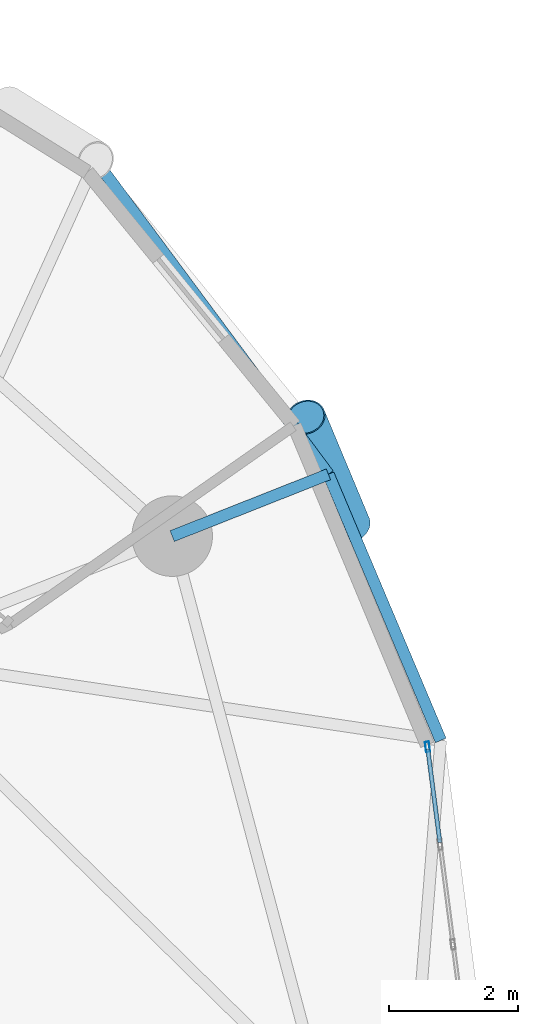
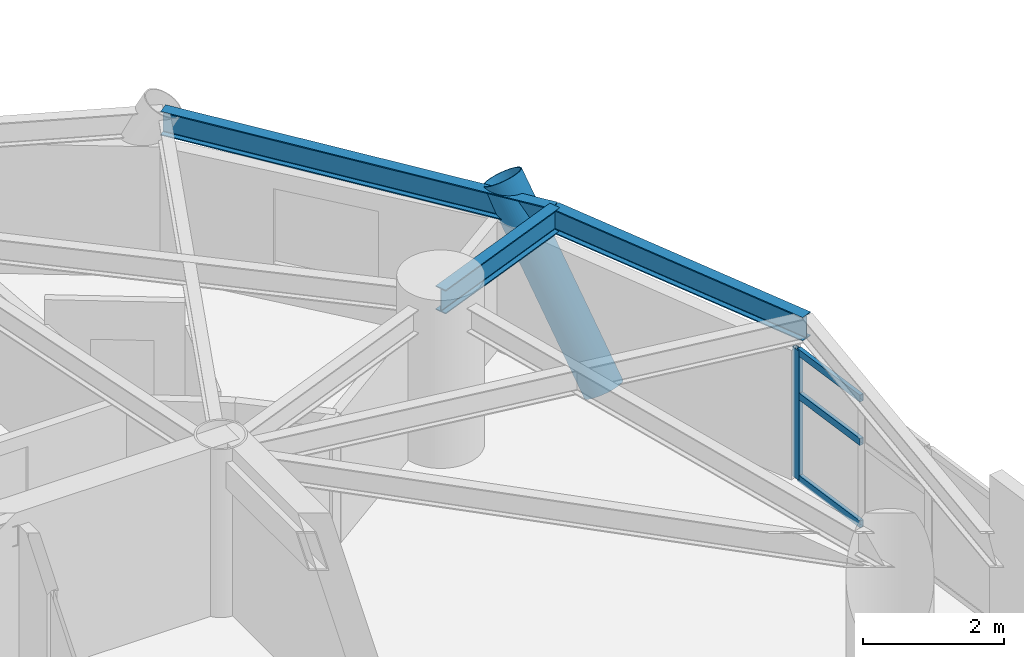
# One storey, part 5 of 18: 5 members, 3 beams, 1 element without a shape of its own.
"""IFC4 building model written with IfcOpenShell, lengths in metres."""

from ifc_helpers import new_model, si_unit, direction, frame, origin, origin_2d, place, context, subcontext, project, spatial, hollow_rectangle, hollow_circle, i_section, extrude, material, layer, layer_set, material_profile, profile_set, type_object, element, aggregate, save


model = new_model("IFC4")

# Units and contexts
model_context = context("Model", 3, precision=1e-05, world=origin(), true_north=direction((0.0, 1.0)))
body_context = subcontext(model_context, "Body", "Model", "MODEL_VIEW")
ifc_project = project(units=[si_unit("LENGTHUNIT", "METRE"), si_unit("AREAUNIT", "SQUARE_METRE"), si_unit("VOLUMEUNIT", "CUBIC_METRE"), si_unit("PLANEANGLEUNIT", "RADIAN"), si_unit("MASSUNIT", "GRAM", prefix="KILO")], contexts=[model_context])

# Site, building, storey
site_placement = place(None, origin())
site = spatial("IfcSite", under=ifc_project, at=site_placement, CompositionType="ELEMENT")
building_placement = place(site_placement, origin())
building = spatial("IfcBuilding", under=site, at=building_placement, Name="Cununo Teusaquillo Station Towers", CompositionType="ELEMENT")
storey_placement = place(building_placement, frame((0.0, 0.0, 157.419921875)))
storey = spatial("IfcBuildingStorey", under=building, at=storey_placement, Name="L49", CompositionType="ELEMENT", Elevation=157.419921875)

# Beams
ifc_material_1 = material(Name="Steel ASTM A572 Grade 50", Category="steel")
ifc_material_profile_1 = material_profile(ifc_material_1, i_section(OverallWidth=0.180908203125, OverallDepth=0.4169921875, WebThickness=0.010986328125, FlangeThickness=0.018310546875, FilletRadius=0.012939453125, at=origin_2d()), Name="W16X57")
ifc_profile_set_1 = profile_set([ifc_material_profile_1], Name="Steel ASTM A572 Grade 50")
beam_type_1 = type_object("IfcBeamType", Name="BM-RAD-G2", PredefinedType="BEAM", material=ifc_profile_set_1)
beam_1_placement = place(storey_placement, frame((26.347412109375, 33.228515625, 2.481689453125), z_axis=(0.929858677495, 0.367916892636, 0.0), x_axis=(-0.367916892636, 0.929858677495, 0.0)))
element("IfcBeam", 1, at=beam_1_placement, inside=storey, type_object=beam_type_1, Name="L49 Tower A Perimeter Overhang Girder 02B", PredefinedType="BEAM", context=body_context, shape_type="SweptSolid", body=[
    extrude(i_section(OverallWidth=0.180908203125, OverallDepth=0.4169921875, WebThickness=0.010986328125, FlangeThickness=0.018310546875, FilletRadius=0.012939453125, at=origin_2d()), origin(), (0.0, 0.0, 1.0), 2.607177734375),
])
ifc_material_2 = material(Name="Steel ASTM A572 Grade 50", Category="steel")
ifc_material_profile_2 = material_profile(ifc_material_2, i_section(OverallWidth=0.180908203125, OverallDepth=0.4169921875, WebThickness=0.010986328125, FlangeThickness=0.018310546875, FilletRadius=0.012939453125, at=origin_2d()), Name="W16X57")
ifc_profile_set_2 = profile_set([ifc_material_profile_2], Name="Steel ASTM A572 Grade 50")
beam_type_2 = type_object("IfcBeamType", Name="BM-RING-Z3", PredefinedType="SPANDREL", material=ifc_profile_set_2)
beam_2_placement = place(storey_placement, frame((30.513916015625, 30.05908203125, 2.481689453125), z_axis=(-0.388777827816, 0.921331536744, 0.0), x_axis=(-0.921331536744, -0.388777827816, 0.0)))
element("IfcBeam", 2, at=beam_2_placement, inside=storey, type_object=beam_type_2, Name="L49 Tower A Spandrel Ring Beam 02", PredefinedType="SPANDREL", context=body_context, shape_type="SweptSolid", body=[
    extrude(i_section(OverallWidth=0.180908203125, OverallDepth=0.4169921875, WebThickness=0.010986328125, FlangeThickness=0.018310546875, FilletRadius=0.012939453125, at=origin_2d()), origin(), (0.0, 0.0, 1.0), 4.481201171875),
])
beam_3_placement = place(storey_placement, frame((28.771728515625, 34.187744140625, 2.481689453125), z_axis=(-0.595872908853, 0.803078748626, 0.0), x_axis=(-0.803078748626, -0.595872908853, 0.0)))
element("IfcBeam", 3, at=beam_3_placement, inside=storey, type_object=beam_type_2, Name="L49 Tower A Spandrel Ring Beam 03", PredefinedType="SPANDREL", context=body_context, shape_type="SweptSolid", body=[
    extrude(i_section(OverallWidth=0.180908203125, OverallDepth=0.4169921875, WebThickness=0.010986328125, FlangeThickness=0.018310546875, FilletRadius=0.012939453125, at=origin_2d()), origin(), (0.0, 0.0, 1.0), 6.059814453125),
])

# Curtain wall, members
ifc_material_3 = material(Name="Operable acoustic tinted low-E double glazing", Category="glass")
ifc_layer = layer(ifc_material_3, 0.179931640625)
ifc_layer_set = layer_set([ifc_layer], Name="Operable acoustic tinted low-E double glazing")
curtain_wall_type = type_object("IfcCurtainWallType", Name="CW-SYS-06", PredefinedType="USERDEFINED", material=ifc_layer_set)
curtain_wall_placement = place(storey_placement, origin())
curtain_wall = element("IfcCurtainWall", 4, at=curtain_wall_placement, inside=storey, type_object=curtain_wall_type, Name="L49 Tower A Facade Curtain Wall C00", ObjectType="OPERABLE GLAZING", PredefinedType="USERDEFINED")
ifc_material_4 = material(Name="Anodised dark bronze aluminium EN AW-6063-T6", Category="aluminium")
ifc_material_profile_3 = material_profile(ifc_material_4, hollow_rectangle(XDim=0.06494140625, YDim=0.159912109375, WallThickness=0.00390625, at=origin_2d()), Name="CW-MULL-65x160")
ifc_profile_set_3 = profile_set([ifc_material_profile_3], Name="Anodised dark bronze aluminium EN AW-6063-T6")
member_type_1 = type_object("IfcMemberType", Name="CWM-160", PredefinedType="MULLION", material=ifc_profile_set_3)
member_1_placement = place(storey_placement, frame((30.308837890625, 29.958984375, 0.0), z_axis=(0.0, 0.0, 1.0), x_axis=(0.991736321922, 0.128292898403, 0.0)))
member_1 = element("IfcMember", 5, at=member_1_placement, type_object=member_type_1, Name="CW-06 mullion 1", PredefinedType="MULLION", context=body_context, shape_type="SweptSolid", body=[
    extrude(hollow_rectangle(XDim=0.06494140625, YDim=0.159912109375, WallThickness=0.00390625, at=origin_2d()), origin(), (0.0, 0.0, 1.0), 2.2451171875),
])
ifc_material_5 = material(Name="Anodised dark bronze aluminium EN AW-6063-T6", Category="aluminium")
ifc_material_profile_4 = material_profile(ifc_material_5, hollow_rectangle(XDim=0.06494140625, YDim=0.1201171875, WallThickness=0.00390625, at=origin_2d()), Name="CW-TRAN-65x120")
ifc_profile_set_4 = profile_set([ifc_material_profile_4], Name="Anodised dark bronze aluminium EN AW-6063-T6")
member_type_2 = type_object("IfcMemberType", Name="CWT-120", PredefinedType="USERDEFINED", material=ifc_profile_set_4)
member_2_placement = place(storey_placement, frame((30.31298828125, 29.9267578125, 0.032470703125), z_axis=(0.128341533193, -0.99173002922, 0.0), x_axis=(0.99173002922, 0.128341533193, 0.0)))
member_2 = element("IfcMember", 6, at=member_2_placement, type_object=member_type_2, Name="CW-06 transom 1.1", ObjectType="TRANSOM", PredefinedType="USERDEFINED", context=body_context, shape_type="SweptSolid", body=[
    extrude(hollow_rectangle(XDim=0.06494140625, YDim=0.1201171875, WallThickness=0.00390625, at=origin_2d()), origin(), (0.0, 0.0, 1.0), 1.46484375),
])
member_3_placement = place(storey_placement, frame((30.31298828125, 29.9267578125, 1.458984375), z_axis=(0.128341533193, -0.99173002922, 0.0), x_axis=(0.99173002922, 0.128341533193, 0.0)))
member_3 = element("IfcMember", 7, at=member_3_placement, type_object=member_type_2, Name="CW-06 transom 1.2", ObjectType="TRANSOM", PredefinedType="USERDEFINED", context=body_context, shape_type="SweptSolid", body=[
    extrude(hollow_rectangle(XDim=0.06494140625, YDim=0.1201171875, WallThickness=0.00390625, at=origin_2d()), origin(), (0.0, 0.0, 1.0), 1.46484375),
])
member_4_placement = place(storey_placement, frame((30.31298828125, 29.9267578125, 2.212646484375), z_axis=(0.128341533193, -0.99173002922, 0.0), x_axis=(0.99173002922, 0.128341533193, 0.0)))
member_4 = element("IfcMember", 8, at=member_4_placement, type_object=member_type_2, Name="CW-06 transom 1.3", ObjectType="TRANSOM", PredefinedType="USERDEFINED", context=body_context, shape_type="SweptSolid", body=[
    extrude(hollow_rectangle(XDim=0.06494140625, YDim=0.1201171875, WallThickness=0.00390625, at=origin_2d()), origin(), (0.0, 0.0, 1.0), 1.46484375),
])
aggregate(curtain_wall, [member_1, member_2, member_3, member_4])

# Member
ifc_material_6 = material(Name="Steel EN 10025-2 S355J2", Category="steel")
ifc_material_profile_5 = material_profile(ifc_material_6, hollow_circle(Radius=0.304931640625, WallThickness=0.02001953125, at=origin_2d()), Name="CHS 610x20")
ifc_profile_set_5 = profile_set([ifc_material_profile_5], Name="Steel EN 10025-2 S355J2")
member_type_3 = type_object("IfcMemberType", Name="MBR-DIAG-Z3", PredefinedType="BRACE", material=ifc_profile_set_5)
member_5_placement = place(storey_placement, frame((29.118408203125, 33.402587890625, -0.139892578125), z_axis=(-0.20349786467, 0.48769684263, 0.848964315365), x_axis=(-0.922881403777, -0.385084295398, 0.0)))
element("IfcMember", 9, at=member_5_placement, inside=storey, type_object=member_type_3, Name="L49 Tower A Folded-Zigzag Diagrid Tube C01", PredefinedType="BRACE", context=body_context, shape_type="SweptSolid", body=[
    extrude(hollow_circle(Radius=0.304931640625, WallThickness=0.02001953125, at=origin_2d()), origin(), (0.0, 0.0, 1.0), 3.427490234375),
])

save(model, "model.ifc")
